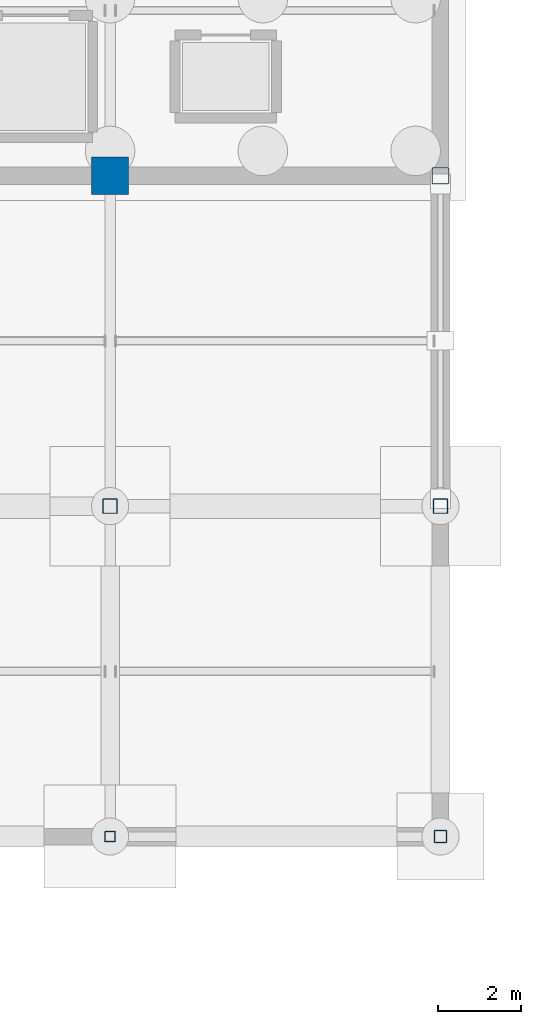
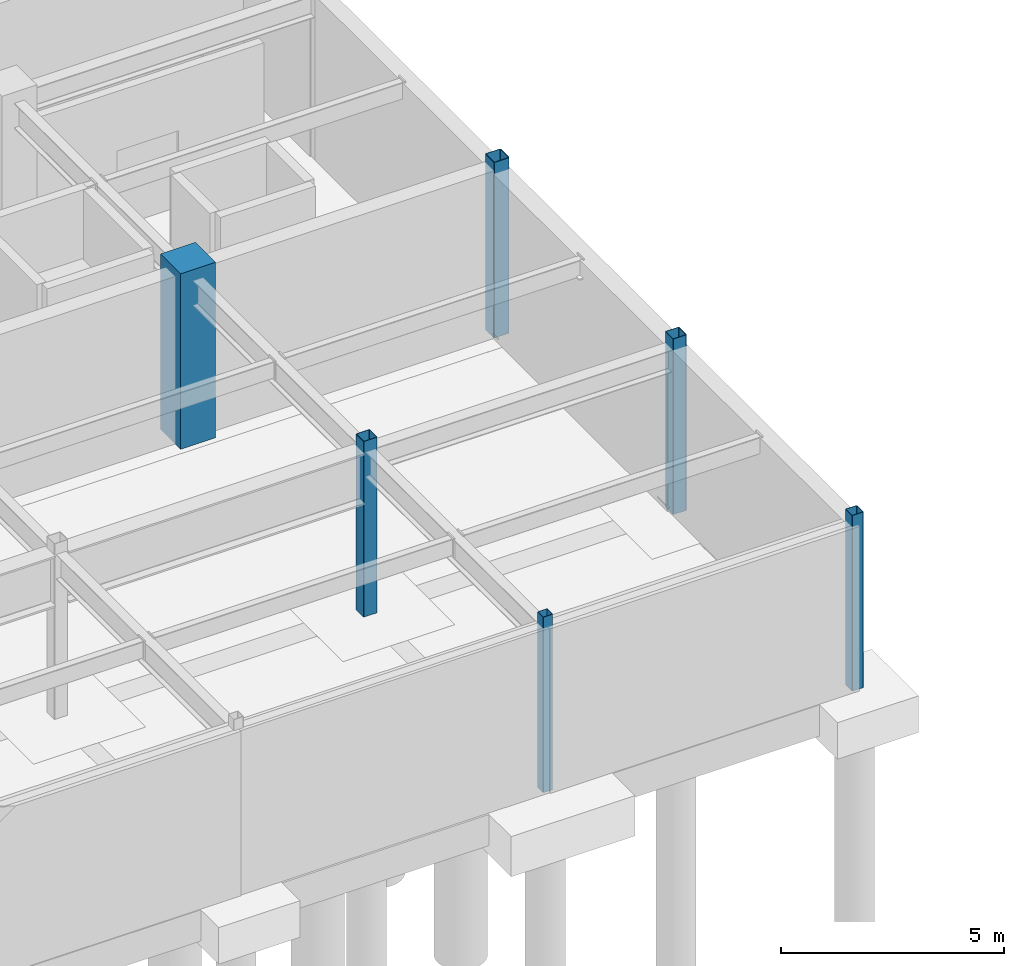
# One storey, part 42 of 105: 6 columns.
"""IFC4 building model written with IfcOpenShell, lengths in metres."""

import ifcopenshell
import ifcopenshell.guid

model = None  # the IFC model being written
_history = None  # IfcOwnerHistory: only IFC2X3 demands one
_inside = {}  # id of a spatial element -> (the spatial element, [elements in it])
_under = {}  # id of a project, library or spatial element -> (it, [spatial elements below it])
_declared = {}  # id of a project -> (the project, [libraries it declares])
_typed = {}  # id of a type object -> (the type object, [elements of that type])
_made_of = {}  # id of a material, layer set ... -> (it, [elements and type objects made of it])


def new_model(schema):
    """Start an empty IFC model of exactly this schema.

    Asked for "IFC4X3", IfcOpenShell would pick the latest addendum, in which some entities
    have other attributes; the version numbers below select the first issue.
    IFC2X3 requires an IfcOwnerHistory on every rooted entity: one is made here for all.
    """
    global model, _history
    if schema == "IFC4X3":
        model = ifcopenshell.file(schema_version=(4, 3, 0, 0))
    else:
        model = ifcopenshell.file(schema=schema)
    _inside.clear()
    _under.clear()
    _declared.clear()
    _typed.clear()
    _made_of.clear()
    _history = None
    if model.schema == "IFC2X3":
        org = make("IfcOrganization", Name="unknown")
        user = make(
            "IfcPersonAndOrganization",
            ThePerson=make("IfcPerson", FamilyName="unknown"),
            TheOrganization=org,
        )
        app = make(
            "IfcApplication",
            ApplicationDeveloper=org,
            Version="unknown",
            ApplicationFullName="unknown",
            ApplicationIdentifier="unknown",
        )
        _history = make(
            "IfcOwnerHistory",
            OwningUser=user,
            OwningApplication=app,
            ChangeAction="ADDED",
            CreationDate=0,
        )
    return model


def make(cls, **values):
    """One entity of the class cls with the attributes given. An attribute that is None is left unset."""
    return model.create_entity(
        cls, **{name: value for name, value in values.items() if value is not None}
    )


def rooted(cls, **values):
    """An entity with a GlobalId (a new one), such as an element, a storey or a relation."""
    return make(cls, GlobalId=ifcopenshell.guid.new(), OwnerHistory=_history, **values)


def si_unit(unit_type, name, prefix=None):
    """IfcSIUnit, for example si_unit("LENGTHUNIT", "METRE", prefix="MILLI")."""
    return make("IfcSIUnit", UnitType=unit_type, Prefix=prefix, Name=name)


def assignment(units):
    """IfcUnitAssignment: the units of a project."""
    return None if units is None else make("IfcUnitAssignment", Units=units)


def point(xyz):
    """IfcCartesianPoint."""
    return None if xyz is None else make("IfcCartesianPoint", Coordinates=xyz)


def direction(xyz):
    """IfcDirection."""
    return None if xyz is None else make("IfcDirection", DirectionRatios=xyz)


def frame(location, z_axis=None, x_axis=None):
    """IfcAxis2Placement3D, a coordinate frame: its origin and axes. An axis left out is left unset."""
    return make(
        "IfcAxis2Placement3D",
        Location=point(location),
        Axis=direction(z_axis),
        RefDirection=direction(x_axis),
    )


def frame_2d(location, x_axis=None):
    """IfcAxis2Placement2D, a coordinate frame in the plane: its origin and x axis."""
    return make(
        "IfcAxis2Placement2D", Location=point(location), RefDirection=direction(x_axis)
    )


def origin():
    """The frame at (0, 0, 0) with its axes left unset."""
    return frame((0.0, 0.0, 0.0))


def origin_2d():
    """The frame at (0, 0) in the plane with its x axis left unset."""
    return frame_2d((0.0, 0.0))


def place(relative_to, where):
    """IfcLocalPlacement: puts the frame where relative to a parent placement (None: the world)."""
    return make(
        "IfcLocalPlacement", PlacementRelTo=relative_to, RelativePlacement=where
    )


def context(
    kind, dimensions, precision=None, world=None, true_north=None, identifier=None
):
    """IfcGeometricRepresentationContext, for example the 3D "Model" context."""
    return make(
        "IfcGeometricRepresentationContext",
        ContextIdentifier=identifier,
        ContextType=kind,
        CoordinateSpaceDimension=dimensions,
        Precision=precision,
        WorldCoordinateSystem=world,
        TrueNorth=true_north,
    )


def subcontext(parent, identifier, kind, view, scale=None):
    """IfcGeometricRepresentationSubContext, for example "Body" below "Model"."""
    return make(
        "IfcGeometricRepresentationSubContext",
        ContextIdentifier=identifier,
        ContextType=kind,
        ParentContext=parent,
        TargetScale=scale,
        TargetView=view,
    )


def project(units=None, contexts=None):
    """IfcProject with its units and contexts."""
    return rooted(
        "IfcProject",
        Name="project",
        RepresentationContexts=contexts,
        UnitsInContext=assignment(units),
    )


def spatial(cls, under=None, at=None, **own):
    """A site, building, storey or space (cls), placed at a placement, below another one or the project."""
    s = rooted(cls, ObjectPlacement=at, **own)
    if under is not None:
        _under.setdefault(under.id(), (under, []))[1].append(s)
    return s


def profile(cls, at=None, kind="AREA", **sizes):
    """A parametric profile (cls). Its sizes go by their IFC names, for example OverallWidth=200.0."""
    return make(cls, ProfileType=kind, Position=at, **sizes)


def rectangle(**sizes):
    """IfcRectangleProfileDef."""
    return profile("IfcRectangleProfileDef", **sizes)


def hollow_rectangle(**sizes):
    """IfcRectangleHollowProfileDef."""
    return profile("IfcRectangleHollowProfileDef", **sizes)


def extrude(swept, where, along, depth):
    """IfcExtrudedAreaSolid: the profile swept, set in the frame where, extruded along a direction by depth."""
    return make(
        "IfcExtrudedAreaSolid",
        SweptArea=swept,
        Position=where,
        ExtrudedDirection=direction(along),
        Depth=depth,
    )


def shape(context_of_items, identifier, shape_type, items):
    """IfcShapeRepresentation: the items that make up one representation, for example the "Body"."""
    return make(
        "IfcShapeRepresentation",
        ContextOfItems=context_of_items,
        RepresentationIdentifier=identifier,
        RepresentationType=shape_type,
        Items=items,
    )


def material(Name=None, Category=None):
    """IfcMaterial."""
    return make("IfcMaterial", Name=Name, Category=Category)


def material_profile(
    of_material, cross_section, Name=None, Category=None, Priority=None
):
    """IfcMaterialProfile: a cross section and its material."""
    return make(
        "IfcMaterialProfile",
        Name=Name,
        Material=of_material,
        Profile=cross_section,
        Priority=Priority,
        Category=Category,
    )


def profile_set(profiles, Name=None, composite=None):
    """IfcMaterialProfileSet."""
    return make(
        "IfcMaterialProfileSet",
        Name=Name,
        MaterialProfiles=profiles,
        CompositeProfile=composite,
    )


def made_of(thing, what):
    """Note that an element or type object is made of a material, layer set ...; save() writes the relation."""
    if what is not None:
        _made_of.setdefault(what.id(), (what, []))[1].append(thing)
    return thing


def type_object(cls, material=None, **own):
    """A type object (cls), such as IfcWallType, which elements share."""
    return made_of(rooted(cls, **own), material)


def element(
    cls,
    number,
    at=None,
    inside=None,
    cuts=None,
    type_object=None,
    material=None,
    context=None,
    identifier="Body",
    shape_type=None,
    held_by="IfcProductDefinitionShape",
    body=None,
    shapes=None,
    **own,
):
    """One element of the class cls, such as IfcWall. Its Tag is "e" and its number.

    at: its placement. inside: the storey or other place that contains it. cuts: it is an
    opening in that element (IfcRelVoidsElement). A single representation is given by context,
    identifier, shape_type and body (its items); several are given by shapes. held_by: the class
    of the entity that holds the representations. save() writes the other relations.
    """
    e = rooted(cls, Tag="e%d" % number, ObjectPlacement=at, **own)
    if body is not None:
        shapes = [shape(context, identifier, shape_type, body)]
    if shapes is not None:
        e.Representation = make(held_by, Representations=shapes)
    if inside is not None:
        _inside.setdefault(inside.id(), (inside, []))[1].append(e)
    if cuts is not None:
        rooted(
            "IfcRelVoidsElement", RelatingBuildingElement=cuts, RelatedOpeningElement=e
        )
    if type_object is not None:
        _typed.setdefault(type_object.id(), (type_object, []))[1].append(e)
    return made_of(e, material)


def aggregate(whole, parts):
    """IfcRelAggregates: a whole, such as a stair, and the parts it consists of."""
    return rooted("IfcRelAggregates", RelatingObject=whole, RelatedObjects=parts)


def save(model, path):
    """Write the relations noted so far, then the file.

    IfcRelAggregates (storeys below a building ...), IfcRelContainedInSpatialStructure (elements
    in a storey), IfcRelDefinesByType, IfcRelAssociatesMaterial and IfcRelDeclares: one each for
    every whole, place, type object, material and project.
    """
    for whole, parts in _under.values():
        aggregate(whole, parts)
    for where, things in _inside.values():
        rooted(
            "IfcRelContainedInSpatialStructure",
            RelatedElements=things,
            RelatingStructure=where,
        )
    for kind, things in _typed.values():
        rooted("IfcRelDefinesByType", RelatedObjects=things, RelatingType=kind)
    for what, things in _made_of.values():
        rooted("IfcRelAssociatesMaterial", RelatedObjects=things, RelatingMaterial=what)
    for by, libraries in _declared.values():
        rooted("IfcRelDeclares", RelatingContext=by, RelatedDefinitions=libraries)
    model.write(path)


model = new_model("IFC4")

# Units and contexts
model_context = context("Model", 3, precision=1e-05, world=origin(), true_north=direction((0.0, 1.0)))
body_context = subcontext(model_context, "Body", "Model", "MODEL_VIEW")
ifc_project = project(units=[si_unit("LENGTHUNIT", "METRE"), si_unit("AREAUNIT", "SQUARE_METRE"), si_unit("VOLUMEUNIT", "CUBIC_METRE"), si_unit("PLANEANGLEUNIT", "RADIAN"), si_unit("MASSUNIT", "GRAM", prefix="KILO")], contexts=[model_context])

# Site, building, storey
site_placement = place(None, origin())
site = spatial("IfcSite", under=ifc_project, at=site_placement, CompositionType="ELEMENT")
building_placement = place(site_placement, origin())
building = spatial("IfcBuilding", under=site, at=building_placement, Name="Solmirada Galleria", CompositionType="ELEMENT")
storey_placement = place(building_placement, frame((0.0, 0.0, -4.800048828125)))
storey = spatial("IfcBuildingStorey", under=building, at=storey_placement, Name="B1", CompositionType="ELEMENT", Elevation=-4.800048828125)

# Columns
ifc_material_1 = material(Name="Steel S355 / ASTM A500 Grade C", Category="steel")
ifc_material_profile_1 = material_profile(ifc_material_1, hollow_rectangle(XDim=0.25390625, YDim=0.25390625, WallThickness=0.0087890625, InnerFilletRadius=0.0087890625, OuterFilletRadius=0.017822265625, at=origin_2d()), Name="HSS10X10X3/8")
ifc_profile_set_1 = profile_set([ifc_material_profile_1], Name="Steel S355 / ASTM A500 Grade C")
column_type_1 = type_object("IfcColumnType", Name="COL-HSS10", PredefinedType="COLUMN", material=ifc_profile_set_1)
column_1_placement = place(storey_placement, frame((168.0, 72.0, 0.0), z_axis=(0.0, 0.0, 1.0), x_axis=(1.0, 0.0, 0.0)))
element("IfcColumn", 1, at=column_1_placement, inside=storey, type_object=column_type_1, Name="Structural column B1-1457", PredefinedType="COLUMN", context=body_context, shape_type="SweptSolid", body=[
    extrude(hollow_rectangle(XDim=0.25390625, YDim=0.25390625, WallThickness=0.0087890625, InnerFilletRadius=0.0087890625, OuterFilletRadius=0.017822265625, at=origin_2d()), origin(), (0.0, 0.0, 1.0), 4.800048828125),
])
ifc_material_profile_2 = material_profile(ifc_material_1, hollow_rectangle(XDim=0.304931640625, YDim=0.304931640625, WallThickness=0.01171875, InnerFilletRadius=0.01171875, OuterFilletRadius=0.023681640625, at=origin_2d()), Name="HSS12X12X1/2")
ifc_profile_set_2 = profile_set([ifc_material_profile_2], Name="Steel S355 / ASTM A500 Grade C")
column_type_2 = type_object("IfcColumnType", Name="COL-HSS12", PredefinedType="COLUMN", material=ifc_profile_set_2)
column_2_placement = place(storey_placement, frame((176.0, 72.0, 0.0), z_axis=(0.0, 0.0, 1.0), x_axis=(1.0, 0.0, 0.0)))
element("IfcColumn", 2, at=column_2_placement, inside=storey, type_object=column_type_2, Name="Structural column B1-1530", PredefinedType="COLUMN", context=body_context, shape_type="SweptSolid", body=[
    extrude(hollow_rectangle(XDim=0.304931640625, YDim=0.304931640625, WallThickness=0.01171875, InnerFilletRadius=0.01171875, OuterFilletRadius=0.023681640625, at=origin_2d()), origin(), (0.0, 0.0, 1.0), 4.800048828125),
])
ifc_material_profile_3 = material_profile(ifc_material_1, hollow_rectangle(XDim=0.35595703125, YDim=0.35595703125, WallThickness=0.01171875, InnerFilletRadius=0.01171875, OuterFilletRadius=0.023681640625, at=origin_2d()), Name="HSS14X14X1/2")
ifc_profile_set_3 = profile_set([ifc_material_profile_3], Name="Steel S355 / ASTM A500 Grade C")
column_type_3 = type_object("IfcColumnType", Name="COL-HSS14", PredefinedType="COLUMN", material=ifc_profile_set_3)
for number, where, z_axis, x_axis, name in (
    (3, (168.0, 80.0, 0.0), (0.0, 0.0, 1.0), (1.0, 0.0, 0.0), "Structural column B1-1460"),
    (4, (176.0, 80.0, 0.0), (0.0, 0.0, 1.0), (1.0, 0.0, 0.0), "Structural column B1-1533"),
):
    element("IfcColumn", number, at=place(storey_placement, frame(where, z_axis=z_axis, x_axis=x_axis)), inside=storey, type_object=column_type_3, Name=name, PredefinedType="COLUMN", context=body_context, shape_type="SweptSolid", body=[
        extrude(hollow_rectangle(XDim=0.35595703125, YDim=0.35595703125, WallThickness=0.01171875, InnerFilletRadius=0.01171875, OuterFilletRadius=0.023681640625, at=origin_2d()), origin(), (0.0, 0.0, 1.0), 4.800048828125),
    ])
ifc_material_profile_4 = material_profile(ifc_material_1, hollow_rectangle(XDim=0.406005859375, YDim=0.406005859375, WallThickness=0.0146484375, InnerFilletRadius=0.0146484375, OuterFilletRadius=0.029296875, at=origin_2d()), Name="HSS16X16X5/8")
ifc_profile_set_4 = profile_set([ifc_material_profile_4], Name="Steel S355 / ASTM A500 Grade C")
column_type_4 = type_object("IfcColumnType", Name="COL-HSS16", PredefinedType="COLUMN", material=ifc_profile_set_4)
column_3_placement = place(storey_placement, frame((176.0, 88.0, 0.0), z_axis=(0.0, 0.0, 1.0), x_axis=(1.0, 0.0, 0.0)))
element("IfcColumn", 5, at=column_3_placement, inside=storey, type_object=column_type_4, Name="Structural column B1-1538", PredefinedType="COLUMN", context=body_context, shape_type="SweptSolid", body=[
    extrude(hollow_rectangle(XDim=0.406005859375, YDim=0.406005859375, WallThickness=0.0146484375, InnerFilletRadius=0.0146484375, OuterFilletRadius=0.029296875, at=origin_2d()), origin(), (0.0, 0.0, 1.0), 4.800048828125),
])
ifc_material_2 = material(Name="Concrete C40/50", Category="concrete")
ifc_material_profile_5 = material_profile(ifc_material_2, rectangle(XDim=0.89990234375, YDim=0.89990234375, at=origin_2d()), Name="RC900X900")
ifc_profile_set_5 = profile_set([ifc_material_profile_5], Name="Concrete C40/50")
column_type_5 = type_object("IfcColumnType", Name="COL-RC900", PredefinedType="COLUMN", material=ifc_profile_set_5)
column_4_placement = place(storey_placement, frame((168.0, 88.0, 0.0), z_axis=(0.0, 0.0, 1.0), x_axis=(1.0, 0.0, 0.0)))
element("IfcColumn", 6, at=column_4_placement, inside=storey, type_object=column_type_5, Name="Structural column B1-1465", PredefinedType="COLUMN", context=body_context, shape_type="SweptSolid", body=[
    extrude(rectangle(XDim=0.89990234375, YDim=0.89990234375, at=origin_2d()), origin(), (0.0, 0.0, 1.0), 4.800048828125),
])

save(model, "model.ifc")
